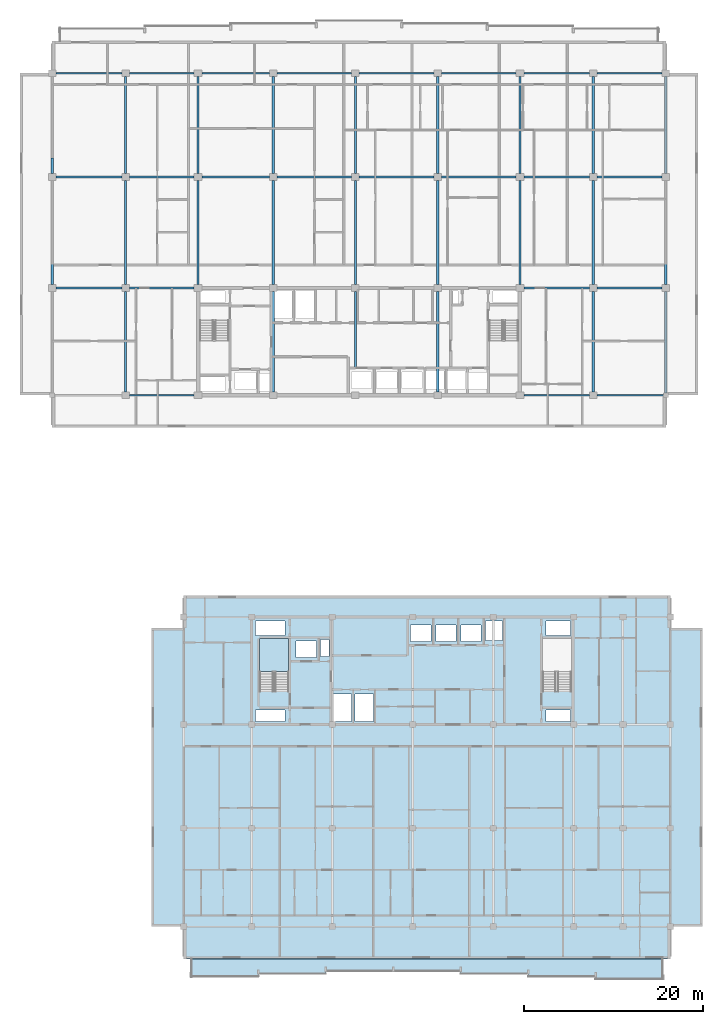
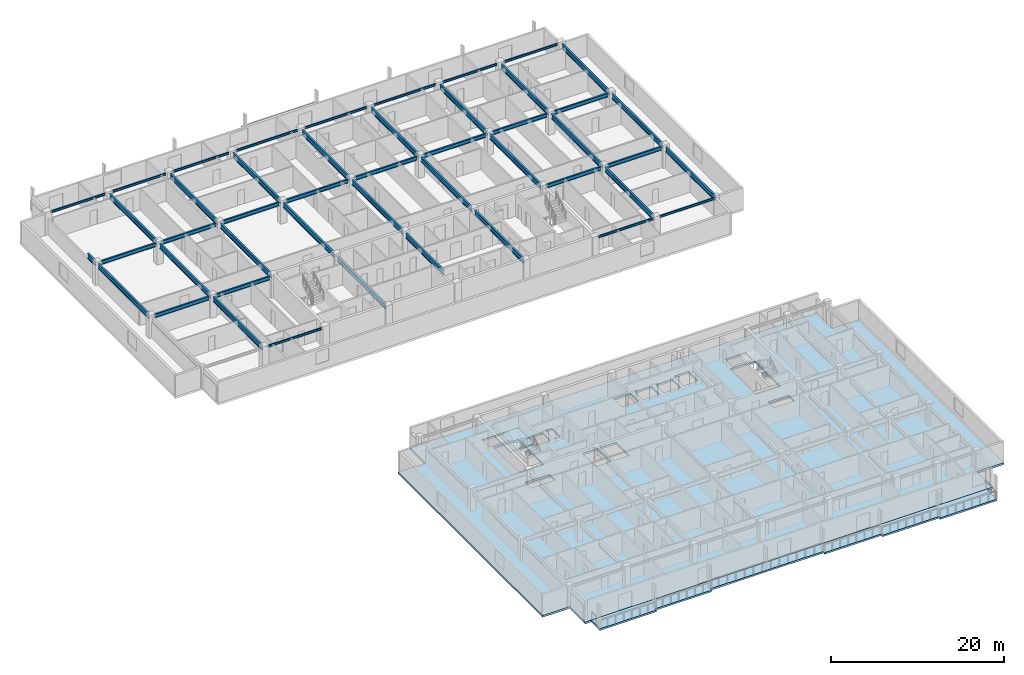
# One storey, part 2 of 21: 47 beams, 3 slabs, 1 element without a shape of its own.
"""IFC4 building model written with IfcOpenShell, lengths in metres."""

from ifc_helpers import new_model, si_unit, direction, frame, origin, origin_2d, place, context, subcontext, project, spatial, polyline, i_section, outline, extrude, material, layer, layer_set, material_profile, profile_set, type_object, element, aggregate, save


model = new_model("IFC4")

# Units and contexts
model_context = context("Model", 3, precision=1e-05, world=origin(), true_north=direction((0.0, 1.0)))
body_context = subcontext(model_context, "Body", "Model", "MODEL_VIEW")
ifc_project = project(units=[si_unit("LENGTHUNIT", "METRE"), si_unit("AREAUNIT", "SQUARE_METRE"), si_unit("VOLUMEUNIT", "CUBIC_METRE"), si_unit("PLANEANGLEUNIT", "RADIAN"), si_unit("MASSUNIT", "GRAM", prefix="KILO")], contexts=[model_context])

# Site, building, storey
site_placement = place(None, origin())
site = spatial("IfcSite", under=ifc_project, at=site_placement, CompositionType="ELEMENT")
building_placement = place(site_placement, origin())
building = spatial("IfcBuilding", under=site, at=building_placement, Name="Korimba Cascade Residences", CompositionType="ELEMENT")
storey_placement = place(building_placement, frame((0.0, 0.0, 171.85009765625)))
storey = spatial("IfcBuildingStorey", under=building, at=storey_placement, Name="L49", CompositionType="ELEMENT", Elevation=171.85009765625)

# Beams
ifc_material_1 = material(Name="Steel S355", Category="steel")
ifc_material_profile_1 = material_profile(ifc_material_1, i_section(OverallWidth=0.165771484375, OverallDepth=0.306640625, WebThickness=0.006591796875, FlangeThickness=0.01171875, FilletRadius=0.0087890625, at=origin_2d()), Name="Steel S355")
ifc_profile_set_1 = profile_set([ifc_material_profile_1], Name="Steel S355")
beam_type_1 = type_object("IfcBeamType", Name="BM-STL-UB305", PredefinedType="SPANDREL", material=ifc_profile_set_1)
beam_1_placement = place(storey_placement, frame((68.425048828125, 55.199951171875, 2.816650390625), z_axis=(1.0, 0.0, 0.0), x_axis=(0.0, 1.0, 0.0)))
element("IfcBeam", 1, at=beam_1_placement, inside=storey, type_object=beam_type_1, Name="L49 T1 E-W Girder Y1 Bay 2", PredefinedType="SPANDREL", context=body_context, shape_type="SweptSolid", body=[
    extrude(i_section(OverallWidth=0.165771484375, OverallDepth=0.306640625, WebThickness=0.006591796875, FlangeThickness=0.01171875, FilletRadius=0.0087890625, at=origin_2d()), origin(), (0.0, 0.0, 1.0), 7.25),
])
beam_2_placement = place(storey_placement, frame((112.52490234375, 55.199951171875, 2.816650390625), z_axis=(1.0, 0.0, 0.0), x_axis=(0.0, 1.0, 0.0)))
element("IfcBeam", 2, at=beam_2_placement, inside=storey, type_object=beam_type_1, Name="L49 T1 E-W Girder Y1 Bay 7", PredefinedType="SPANDREL", context=body_context, shape_type="SweptSolid", body=[
    extrude(i_section(OverallWidth=0.165771484375, OverallDepth=0.306640625, WebThickness=0.006591796875, FlangeThickness=0.01171875, FilletRadius=0.0087890625, at=origin_2d()), origin(), (0.0, 0.0, 1.0), 7.35009765625),
])
beam_3_placement = place(storey_placement, frame((120.72509765625, 55.199951171875, 2.816650390625), z_axis=(1.0, 0.0, 0.0), x_axis=(0.0, 1.0, 0.0)))
element("IfcBeam", 3, at=beam_3_placement, inside=storey, type_object=beam_type_1, Name="L49 T1 E-W Girder Y1 Bay 8", PredefinedType="SPANDREL", context=body_context, shape_type="SweptSolid", body=[
    extrude(i_section(OverallWidth=0.165771484375, OverallDepth=0.306640625, WebThickness=0.006591796875, FlangeThickness=0.01171875, FilletRadius=0.0087890625, at=origin_2d()), origin(), (0.0, 0.0, 1.0), 7.39990234375),
])
beam_4_placement = place(storey_placement, frame((60.22509765625, 91.199951171875, 2.816650390625), z_axis=(1.0, 0.0, 0.0), x_axis=(0.0, 1.0, 0.0)))
element("IfcBeam", 4, at=beam_4_placement, inside=storey, type_object=beam_type_1, Name="L49 T1 E-W Girder Y4 Bay 1", PredefinedType="SPANDREL", context=body_context, shape_type="SweptSolid", body=[
    extrude(i_section(OverallWidth=0.165771484375, OverallDepth=0.306640625, WebThickness=0.006591796875, FlangeThickness=0.01171875, FilletRadius=0.0087890625, at=origin_2d()), origin(), (0.0, 0.0, 1.0), 7.349853515625),
])
beam_5_placement = place(storey_placement, frame((68.425048828125, 91.199951171875, 2.816650390625), z_axis=(1.0, 0.0, 0.0), x_axis=(0.0, 1.0, 0.0)))
element("IfcBeam", 5, at=beam_5_placement, inside=storey, type_object=beam_type_1, Name="L49 T1 E-W Girder Y4 Bay 2", PredefinedType="SPANDREL", context=body_context, shape_type="SweptSolid", body=[
    extrude(i_section(OverallWidth=0.165771484375, OverallDepth=0.306640625, WebThickness=0.006591796875, FlangeThickness=0.01171875, FilletRadius=0.0087890625, at=origin_2d()), origin(), (0.0, 0.0, 1.0), 7.25),
])
beam_6_placement = place(storey_placement, frame((76.52490234375, 91.199951171875, 2.816650390625), z_axis=(1.0, 0.0, 0.0), x_axis=(0.0, 1.0, 0.0)))
element("IfcBeam", 6, at=beam_6_placement, inside=storey, type_object=beam_type_1, Name="L49 T1 E-W Girder Y4 Bay 3", PredefinedType="SPANDREL", context=body_context, shape_type="SweptSolid", body=[
    extrude(i_section(OverallWidth=0.165771484375, OverallDepth=0.306640625, WebThickness=0.006591796875, FlangeThickness=0.01171875, FilletRadius=0.0087890625, at=origin_2d()), origin(), (0.0, 0.0, 1.0), 7.550048828125),
])
beam_7_placement = place(storey_placement, frame((84.925048828125, 91.199951171875, 2.816650390625), z_axis=(1.0, 0.0, 0.0), x_axis=(0.0, 1.0, 0.0)))
element("IfcBeam", 7, at=beam_7_placement, inside=storey, type_object=beam_type_1, Name="L49 T1 E-W Girder Y4 Bay 4", PredefinedType="SPANDREL", context=body_context, shape_type="SweptSolid", body=[
    extrude(i_section(OverallWidth=0.165771484375, OverallDepth=0.306640625, WebThickness=0.006591796875, FlangeThickness=0.01171875, FilletRadius=0.0087890625, at=origin_2d()), origin(), (0.0, 0.0, 1.0), 8.349853515625),
])
for number, where, z_axis, x_axis, name in (
    (8, (94.125, 91.199951171875, 2.816650390625), (1.0, 0.0, 0.0), (0.0, 1.0, 0.0), "L49 T1 E-W Girder Y4 Bay 5"),
    (9, (103.324951171875, 91.199951171875, 2.816650390625), (1.0, 0.0, 0.0), (0.0, 1.0, 0.0), "L49 T1 E-W Girder Y4 Bay 6"),
):
    element("IfcBeam", number, at=place(storey_placement, frame(where, z_axis=z_axis, x_axis=x_axis)), inside=storey, type_object=beam_type_1, Name=name, PredefinedType="SPANDREL", context=body_context, shape_type="SweptSolid", body=[
        extrude(i_section(OverallWidth=0.165771484375, OverallDepth=0.306640625, WebThickness=0.006591796875, FlangeThickness=0.01171875, FilletRadius=0.0087890625, at=origin_2d()), origin(), (0.0, 0.0, 1.0), 8.35009765625),
    ])
beam_8_placement = place(storey_placement, frame((112.52490234375, 91.199951171875, 2.816650390625), z_axis=(1.0, 0.0, 0.0), x_axis=(0.0, 1.0, 0.0)))
element("IfcBeam", 10, at=beam_8_placement, inside=storey, type_object=beam_type_1, Name="L49 T1 E-W Girder Y4 Bay 7", PredefinedType="SPANDREL", context=body_context, shape_type="SweptSolid", body=[
    extrude(i_section(OverallWidth=0.165771484375, OverallDepth=0.306640625, WebThickness=0.006591796875, FlangeThickness=0.01171875, FilletRadius=0.0087890625, at=origin_2d()), origin(), (0.0, 0.0, 1.0), 7.35009765625),
])
beam_9_placement = place(storey_placement, frame((120.72509765625, 91.199951171875, 2.816650390625), z_axis=(1.0, 0.0, 0.0), x_axis=(0.0, 1.0, 0.0)))
element("IfcBeam", 11, at=beam_9_placement, inside=storey, type_object=beam_type_1, Name="L49 T1 E-W Girder Y4 Bay 8", PredefinedType="SPANDREL", context=body_context, shape_type="SweptSolid", body=[
    extrude(i_section(OverallWidth=0.165771484375, OverallDepth=0.306640625, WebThickness=0.006591796875, FlangeThickness=0.01171875, FilletRadius=0.0087890625, at=origin_2d()), origin(), (0.0, 0.0, 1.0), 7.25),
])
ifc_material_profile_2 = material_profile(ifc_material_1, i_section(OverallWidth=0.2099609375, OverallDepth=0.53662109375, WebThickness=0.0107421875, FlangeThickness=0.017333984375, FilletRadius=0.0126953125, at=origin_2d()), Name="Steel S355")
ifc_profile_set_2 = profile_set([ifc_material_profile_2], Name="Steel S355")
beam_type_2 = type_object("IfcBeamType", Name="BM-STL-UB533", PredefinedType="BEAM", material=ifc_profile_set_2)
beam_10_placement = place(storey_placement, frame((60.22509765625, 67.199951171875, 2.701416015625), z_axis=(1.0, 0.0, 0.0), x_axis=(0.0, 1.0, 0.0)))
element("IfcBeam", 12, at=beam_10_placement, inside=storey, type_object=beam_type_2, Name="L49 T1 E-W Girder Y2 Bay 1", PredefinedType="BEAM", context=body_context, shape_type="SweptSolid", body=[
    extrude(i_section(OverallWidth=0.2099609375, OverallDepth=0.53662109375, WebThickness=0.0107421875, FlangeThickness=0.017333984375, FilletRadius=0.0126953125, at=origin_2d()), origin(), (0.0, 0.0, 1.0), 7.349853515625),
])
beam_11_placement = place(storey_placement, frame((68.425048828125, 67.199951171875, 2.701416015625), z_axis=(1.0, 0.0, 0.0), x_axis=(0.0, 1.0, 0.0)))
element("IfcBeam", 13, at=beam_11_placement, inside=storey, type_object=beam_type_2, Name="L49 T1 E-W Girder Y2 Bay 2", PredefinedType="BEAM", context=body_context, shape_type="SweptSolid", body=[
    extrude(i_section(OverallWidth=0.2099609375, OverallDepth=0.53662109375, WebThickness=0.0107421875, FlangeThickness=0.017333984375, FilletRadius=0.0126953125, at=origin_2d()), origin(), (0.0, 0.0, 1.0), 7.25),
])
beam_12_placement = place(storey_placement, frame((112.52490234375, 67.199951171875, 2.701416015625), z_axis=(1.0, 0.0, 0.0), x_axis=(0.0, 1.0, 0.0)))
element("IfcBeam", 14, at=beam_12_placement, inside=storey, type_object=beam_type_2, Name="L49 T1 E-W Girder Y2 Bay 7", PredefinedType="BEAM", context=body_context, shape_type="SweptSolid", body=[
    extrude(i_section(OverallWidth=0.2099609375, OverallDepth=0.53662109375, WebThickness=0.0107421875, FlangeThickness=0.017333984375, FilletRadius=0.0126953125, at=origin_2d()), origin(), (0.0, 0.0, 1.0), 7.35009765625),
])
beam_13_placement = place(storey_placement, frame((120.72509765625, 67.199951171875, 2.701416015625), z_axis=(1.0, 0.0, 0.0), x_axis=(0.0, 1.0, 0.0)))
element("IfcBeam", 15, at=beam_13_placement, inside=storey, type_object=beam_type_2, Name="L49 T1 E-W Girder Y2 Bay 8", PredefinedType="BEAM", context=body_context, shape_type="SweptSolid", body=[
    extrude(i_section(OverallWidth=0.2099609375, OverallDepth=0.53662109375, WebThickness=0.0107421875, FlangeThickness=0.017333984375, FilletRadius=0.0126953125, at=origin_2d()), origin(), (0.0, 0.0, 1.0), 7.25),
])
beam_14_placement = place(storey_placement, frame((60.22509765625, 79.60009765625, 2.701416015625), z_axis=(1.0, 0.0, 0.0), x_axis=(0.0, 1.0, 0.0)))
element("IfcBeam", 16, at=beam_14_placement, inside=storey, type_object=beam_type_2, Name="L49 T1 E-W Girder Y3 Bay 1", PredefinedType="BEAM", context=body_context, shape_type="SweptSolid", body=[
    extrude(i_section(OverallWidth=0.2099609375, OverallDepth=0.53662109375, WebThickness=0.0107421875, FlangeThickness=0.017333984375, FilletRadius=0.0126953125, at=origin_2d()), origin(), (0.0, 0.0, 1.0), 7.349853515625),
])
beam_15_placement = place(storey_placement, frame((68.425048828125, 79.60009765625, 2.701416015625), z_axis=(1.0, 0.0, 0.0), x_axis=(0.0, 1.0, 0.0)))
element("IfcBeam", 17, at=beam_15_placement, inside=storey, type_object=beam_type_2, Name="L49 T1 E-W Girder Y3 Bay 2", PredefinedType="BEAM", context=body_context, shape_type="SweptSolid", body=[
    extrude(i_section(OverallWidth=0.2099609375, OverallDepth=0.53662109375, WebThickness=0.0107421875, FlangeThickness=0.017333984375, FilletRadius=0.0126953125, at=origin_2d()), origin(), (0.0, 0.0, 1.0), 7.25),
])
beam_16_placement = place(storey_placement, frame((76.52490234375, 79.60009765625, 2.701416015625), z_axis=(1.0, 0.0, 0.0), x_axis=(0.0, 1.0, 0.0)))
element("IfcBeam", 18, at=beam_16_placement, inside=storey, type_object=beam_type_2, Name="L49 T1 E-W Girder Y3 Bay 3", PredefinedType="BEAM", context=body_context, shape_type="SweptSolid", body=[
    extrude(i_section(OverallWidth=0.2099609375, OverallDepth=0.53662109375, WebThickness=0.0107421875, FlangeThickness=0.017333984375, FilletRadius=0.0126953125, at=origin_2d()), origin(), (0.0, 0.0, 1.0), 7.550048828125),
])
beam_17_placement = place(storey_placement, frame((84.925048828125, 79.60009765625, 2.701416015625), z_axis=(1.0, 0.0, 0.0), x_axis=(0.0, 1.0, 0.0)))
element("IfcBeam", 19, at=beam_17_placement, inside=storey, type_object=beam_type_2, Name="L49 T1 E-W Girder Y3 Bay 4", PredefinedType="BEAM", context=body_context, shape_type="SweptSolid", body=[
    extrude(i_section(OverallWidth=0.2099609375, OverallDepth=0.53662109375, WebThickness=0.0107421875, FlangeThickness=0.017333984375, FilletRadius=0.0126953125, at=origin_2d()), origin(), (0.0, 0.0, 1.0), 8.349853515625),
])
for number, where, z_axis, x_axis, name in (
    (20, (94.125, 79.60009765625, 2.701416015625), (1.0, 0.0, 0.0), (0.0, 1.0, 0.0), "L49 T1 E-W Girder Y3 Bay 5"),
    (21, (103.324951171875, 79.60009765625, 2.701416015625), (1.0, 0.0, 0.0), (0.0, 1.0, 0.0), "L49 T1 E-W Girder Y3 Bay 6"),
):
    element("IfcBeam", number, at=place(storey_placement, frame(where, z_axis=z_axis, x_axis=x_axis)), inside=storey, type_object=beam_type_2, Name=name, PredefinedType="BEAM", context=body_context, shape_type="SweptSolid", body=[
        extrude(i_section(OverallWidth=0.2099609375, OverallDepth=0.53662109375, WebThickness=0.0107421875, FlangeThickness=0.017333984375, FilletRadius=0.0126953125, at=origin_2d()), origin(), (0.0, 0.0, 1.0), 8.35009765625),
    ])
beam_18_placement = place(storey_placement, frame((112.52490234375, 79.60009765625, 2.701416015625), z_axis=(1.0, 0.0, 0.0), x_axis=(0.0, 1.0, 0.0)))
element("IfcBeam", 22, at=beam_18_placement, inside=storey, type_object=beam_type_2, Name="L49 T1 E-W Girder Y3 Bay 7", PredefinedType="BEAM", context=body_context, shape_type="SweptSolid", body=[
    extrude(i_section(OverallWidth=0.2099609375, OverallDepth=0.53662109375, WebThickness=0.0107421875, FlangeThickness=0.017333984375, FilletRadius=0.0126953125, at=origin_2d()), origin(), (0.0, 0.0, 1.0), 7.35009765625),
])
beam_19_placement = place(storey_placement, frame((120.72509765625, 79.60009765625, 2.701416015625), z_axis=(1.0, 0.0, 0.0), x_axis=(0.0, 1.0, 0.0)))
element("IfcBeam", 23, at=beam_19_placement, inside=storey, type_object=beam_type_2, Name="L49 T1 E-W Girder Y3 Bay 8", PredefinedType="BEAM", context=body_context, shape_type="SweptSolid", body=[
    extrude(i_section(OverallWidth=0.2099609375, OverallDepth=0.53662109375, WebThickness=0.0107421875, FlangeThickness=0.017333984375, FilletRadius=0.0126953125, at=origin_2d()), origin(), (0.0, 0.0, 1.0), 7.25),
])
ifc_material_profile_3 = material_profile(ifc_material_1, i_section(OverallWidth=0.255859375, OverallDepth=0.69287109375, WebThickness=0.014404296875, FlangeThickness=0.023681640625, FilletRadius=0.01513671875, at=origin_2d()), Name="Steel S355")
ifc_profile_set_3 = profile_set([ifc_material_profile_3], Name="Steel S355")
beam_type_3 = type_object("IfcBeamType", Name="BM-STL-UB686", PredefinedType="BEAM", material=ifc_profile_set_3)
beam_20_placement = place(storey_placement, frame((59.800048828125, 67.574951171875, 2.623291015625), z_axis=(0.0, 1.0, 0.0), x_axis=(-1.0, 0.0, 0.0)))
element("IfcBeam", 24, at=beam_20_placement, inside=storey, type_object=beam_type_3, Name="L49 T1 N-S Girder X1 Seg 2", PredefinedType="BEAM", context=body_context, shape_type="SweptSolid", body=[
    extrude(i_section(OverallWidth=0.255859375, OverallDepth=0.69287109375, WebThickness=0.014404296875, FlangeThickness=0.023681640625, FilletRadius=0.01513671875, at=origin_2d()), origin(), (0.0, 0.0, 1.0), 11.650146484375),
])
beam_21_placement = place(storey_placement, frame((59.800048828125, 79.97509765625, 2.623291015625), z_axis=(0.0, 1.0, 0.0), x_axis=(-1.0, 0.0, 0.0)))
element("IfcBeam", 25, at=beam_21_placement, inside=storey, type_object=beam_type_3, Name="L49 T1 N-S Girder X1 Seg 3", PredefinedType="BEAM", context=body_context, shape_type="SweptSolid", body=[
    extrude(i_section(OverallWidth=0.255859375, OverallDepth=0.69287109375, WebThickness=0.014404296875, FlangeThickness=0.023681640625, FilletRadius=0.01513671875, at=origin_2d()), origin(), (0.0, 0.0, 1.0), 1.724853515625),
])
beam_22_placement = place(storey_placement, frame((68.0, 55.574951171875, 2.623291015625), z_axis=(0.0, 1.0, 0.0), x_axis=(-1.0, 0.0, 0.0)))
element("IfcBeam", 26, at=beam_22_placement, inside=storey, type_object=beam_type_3, Name="L49 T1 N-S Girder X2 Seg 1", PredefinedType="BEAM", context=body_context, shape_type="SweptSolid", body=[
    extrude(i_section(OverallWidth=0.255859375, OverallDepth=0.69287109375, WebThickness=0.014404296875, FlangeThickness=0.023681640625, FilletRadius=0.01513671875, at=origin_2d()), origin(), (0.0, 0.0, 1.0), 11.25),
])
beam_23_placement = place(storey_placement, frame((68.0, 67.574951171875, 2.623291015625), z_axis=(0.0, 1.0, 0.0), x_axis=(-1.0, 0.0, 0.0)))
element("IfcBeam", 27, at=beam_23_placement, inside=storey, type_object=beam_type_3, Name="L49 T1 N-S Girder X2 Seg 2", PredefinedType="BEAM", context=body_context, shape_type="SweptSolid", body=[
    extrude(i_section(OverallWidth=0.255859375, OverallDepth=0.69287109375, WebThickness=0.014404296875, FlangeThickness=0.023681640625, FilletRadius=0.01513671875, at=origin_2d()), origin(), (0.0, 0.0, 1.0), 11.650146484375),
])
beam_24_placement = place(storey_placement, frame((68.0, 79.97509765625, 2.623291015625), z_axis=(0.0, 1.0, 0.0), x_axis=(-1.0, 0.0, 0.0)))
element("IfcBeam", 28, at=beam_24_placement, inside=storey, type_object=beam_type_3, Name="L49 T1 N-S Girder X2 Seg 3", PredefinedType="BEAM", context=body_context, shape_type="SweptSolid", body=[
    extrude(i_section(OverallWidth=0.255859375, OverallDepth=0.69287109375, WebThickness=0.014404296875, FlangeThickness=0.023681640625, FilletRadius=0.01513671875, at=origin_2d()), origin(), (0.0, 0.0, 1.0), 10.849853515625),
])
beam_25_placement = place(storey_placement, frame((76.10009765625, 67.574951171875, 2.623291015625), z_axis=(0.0, 1.0, 0.0), x_axis=(-1.0, 0.0, 0.0)))
element("IfcBeam", 29, at=beam_25_placement, inside=storey, type_object=beam_type_3, Name="L49 T1 N-S Girder X3 Seg 2", PredefinedType="BEAM", context=body_context, shape_type="SweptSolid", body=[
    extrude(i_section(OverallWidth=0.255859375, OverallDepth=0.69287109375, WebThickness=0.014404296875, FlangeThickness=0.023681640625, FilletRadius=0.01513671875, at=origin_2d()), origin(), (0.0, 0.0, 1.0), 11.650146484375),
])
beam_26_placement = place(storey_placement, frame((76.10009765625, 79.97509765625, 2.623291015625), z_axis=(0.0, 1.0, 0.0), x_axis=(-1.0, 0.0, 0.0)))
element("IfcBeam", 30, at=beam_26_placement, inside=storey, type_object=beam_type_3, Name="L49 T1 N-S Girder X3 Seg 3", PredefinedType="BEAM", context=body_context, shape_type="SweptSolid", body=[
    extrude(i_section(OverallWidth=0.255859375, OverallDepth=0.69287109375, WebThickness=0.014404296875, FlangeThickness=0.023681640625, FilletRadius=0.01513671875, at=origin_2d()), origin(), (0.0, 0.0, 1.0), 10.849853515625),
])
beam_27_placement = place(storey_placement, frame((84.5, 55.574951171875, 2.623291015625), z_axis=(0.0, 1.0, 0.0), x_axis=(-1.0, 0.0, 0.0)))
element("IfcBeam", 31, at=beam_27_placement, inside=storey, type_object=beam_type_3, Name="L49 T1 N-S Girder X4 Seg 1", PredefinedType="BEAM", context=body_context, shape_type="SweptSolid", body=[
    extrude(i_section(OverallWidth=0.255859375, OverallDepth=0.69287109375, WebThickness=0.014404296875, FlangeThickness=0.023681640625, FilletRadius=0.01513671875, at=origin_2d()), origin(), (0.0, 0.0, 1.0), 11.25),
])
beam_28_placement = place(storey_placement, frame((84.5, 67.574951171875, 2.623291015625), z_axis=(0.0, 1.0, 0.0), x_axis=(-1.0, 0.0, 0.0)))
element("IfcBeam", 32, at=beam_28_placement, inside=storey, type_object=beam_type_3, Name="L49 T1 N-S Girder X4 Seg 2", PredefinedType="BEAM", context=body_context, shape_type="SweptSolid", body=[
    extrude(i_section(OverallWidth=0.255859375, OverallDepth=0.69287109375, WebThickness=0.014404296875, FlangeThickness=0.023681640625, FilletRadius=0.01513671875, at=origin_2d()), origin(), (0.0, 0.0, 1.0), 11.650146484375),
])
beam_29_placement = place(storey_placement, frame((84.5, 79.97509765625, 2.623291015625), z_axis=(0.0, 1.0, 0.0), x_axis=(-1.0, 0.0, 0.0)))
element("IfcBeam", 33, at=beam_29_placement, inside=storey, type_object=beam_type_3, Name="L49 T1 N-S Girder X4 Seg 3", PredefinedType="BEAM", context=body_context, shape_type="SweptSolid", body=[
    extrude(i_section(OverallWidth=0.255859375, OverallDepth=0.69287109375, WebThickness=0.014404296875, FlangeThickness=0.023681640625, FilletRadius=0.01513671875, at=origin_2d()), origin(), (0.0, 0.0, 1.0), 10.849853515625),
])
beam_30_placement = place(storey_placement, frame((93.699951171875, 58.159912109375, 2.623291015625), z_axis=(0.0, 1.0, 0.0), x_axis=(-1.0, 0.0, 0.0)))
element("IfcBeam", 34, at=beam_30_placement, inside=storey, type_object=beam_type_3, Name="L49 T1 N-S Girder X5 Seg 1", PredefinedType="BEAM", context=body_context, shape_type="SweptSolid", body=[
    extrude(i_section(OverallWidth=0.255859375, OverallDepth=0.69287109375, WebThickness=0.014404296875, FlangeThickness=0.023681640625, FilletRadius=0.01513671875, at=origin_2d()), origin(), (0.0, 0.0, 1.0), 8.6650390625),
])
beam_31_placement = place(storey_placement, frame((93.699951171875, 67.574951171875, 2.623291015625), z_axis=(0.0, 1.0, 0.0), x_axis=(-1.0, 0.0, 0.0)))
element("IfcBeam", 35, at=beam_31_placement, inside=storey, type_object=beam_type_3, Name="L49 T1 N-S Girder X5 Seg 2", PredefinedType="BEAM", context=body_context, shape_type="SweptSolid", body=[
    extrude(i_section(OverallWidth=0.255859375, OverallDepth=0.69287109375, WebThickness=0.014404296875, FlangeThickness=0.023681640625, FilletRadius=0.01513671875, at=origin_2d()), origin(), (0.0, 0.0, 1.0), 11.650146484375),
])
beam_32_placement = place(storey_placement, frame((93.699951171875, 79.97509765625, 2.623291015625), z_axis=(0.0, 1.0, 0.0), x_axis=(-1.0, 0.0, 0.0)))
element("IfcBeam", 36, at=beam_32_placement, inside=storey, type_object=beam_type_3, Name="L49 T1 N-S Girder X5 Seg 3", PredefinedType="BEAM", context=body_context, shape_type="SweptSolid", body=[
    extrude(i_section(OverallWidth=0.255859375, OverallDepth=0.69287109375, WebThickness=0.014404296875, FlangeThickness=0.023681640625, FilletRadius=0.01513671875, at=origin_2d()), origin(), (0.0, 0.0, 1.0), 10.849853515625),
])
beam_33_placement = place(storey_placement, frame((102.89990234375, 55.574951171875, 2.623291015625), z_axis=(0.0, 1.0, 0.0), x_axis=(-1.0, 0.0, 0.0)))
element("IfcBeam", 37, at=beam_33_placement, inside=storey, type_object=beam_type_3, Name="L49 T1 N-S Girder X6 Seg 1", PredefinedType="BEAM", context=body_context, shape_type="SweptSolid", body=[
    extrude(i_section(OverallWidth=0.255859375, OverallDepth=0.69287109375, WebThickness=0.014404296875, FlangeThickness=0.023681640625, FilletRadius=0.01513671875, at=origin_2d()), origin(), (0.0, 0.0, 1.0), 11.25),
])
beam_34_placement = place(storey_placement, frame((102.89990234375, 67.574951171875, 2.623291015625), z_axis=(0.0, 1.0, 0.0), x_axis=(-1.0, 0.0, 0.0)))
element("IfcBeam", 38, at=beam_34_placement, inside=storey, type_object=beam_type_3, Name="L49 T1 N-S Girder X6 Seg 2", PredefinedType="BEAM", context=body_context, shape_type="SweptSolid", body=[
    extrude(i_section(OverallWidth=0.255859375, OverallDepth=0.69287109375, WebThickness=0.014404296875, FlangeThickness=0.023681640625, FilletRadius=0.01513671875, at=origin_2d()), origin(), (0.0, 0.0, 1.0), 11.650146484375),
])
beam_35_placement = place(storey_placement, frame((102.89990234375, 79.97509765625, 2.623291015625), z_axis=(0.0, 1.0, 0.0), x_axis=(-1.0, 0.0, 0.0)))
element("IfcBeam", 39, at=beam_35_placement, inside=storey, type_object=beam_type_3, Name="L49 T1 N-S Girder X6 Seg 3", PredefinedType="BEAM", context=body_context, shape_type="SweptSolid", body=[
    extrude(i_section(OverallWidth=0.255859375, OverallDepth=0.69287109375, WebThickness=0.014404296875, FlangeThickness=0.023681640625, FilletRadius=0.01513671875, at=origin_2d()), origin(), (0.0, 0.0, 1.0), 10.849853515625),
])
beam_36_placement = place(storey_placement, frame((112.10009765625, 67.574951171875, 2.623291015625), z_axis=(0.0, 1.0, 0.0), x_axis=(-1.0, 0.0, 0.0)))
element("IfcBeam", 40, at=beam_36_placement, inside=storey, type_object=beam_type_3, Name="L49 T1 N-S Girder X7 Seg 2", PredefinedType="BEAM", context=body_context, shape_type="SweptSolid", body=[
    extrude(i_section(OverallWidth=0.255859375, OverallDepth=0.69287109375, WebThickness=0.014404296875, FlangeThickness=0.023681640625, FilletRadius=0.01513671875, at=origin_2d()), origin(), (0.0, 0.0, 1.0), 11.650146484375),
])
beam_37_placement = place(storey_placement, frame((112.10009765625, 79.97509765625, 2.623291015625), z_axis=(0.0, 1.0, 0.0), x_axis=(-1.0, 0.0, 0.0)))
element("IfcBeam", 41, at=beam_37_placement, inside=storey, type_object=beam_type_3, Name="L49 T1 N-S Girder X7 Seg 3", PredefinedType="BEAM", context=body_context, shape_type="SweptSolid", body=[
    extrude(i_section(OverallWidth=0.255859375, OverallDepth=0.69287109375, WebThickness=0.014404296875, FlangeThickness=0.023681640625, FilletRadius=0.01513671875, at=origin_2d()), origin(), (0.0, 0.0, 1.0), 10.849853515625),
])
beam_38_placement = place(storey_placement, frame((120.300048828125, 55.574951171875, 2.623291015625), z_axis=(0.0, 1.0, 0.0), x_axis=(-1.0, 0.0, 0.0)))
element("IfcBeam", 42, at=beam_38_placement, inside=storey, type_object=beam_type_3, Name="L49 T1 N-S Girder X8 Seg 1", PredefinedType="BEAM", context=body_context, shape_type="SweptSolid", body=[
    extrude(i_section(OverallWidth=0.255859375, OverallDepth=0.69287109375, WebThickness=0.014404296875, FlangeThickness=0.023681640625, FilletRadius=0.01513671875, at=origin_2d()), origin(), (0.0, 0.0, 1.0), 11.25),
])
beam_39_placement = place(storey_placement, frame((120.300048828125, 67.574951171875, 2.623291015625), z_axis=(0.0, 1.0, 0.0), x_axis=(-1.0, 0.0, 0.0)))
element("IfcBeam", 43, at=beam_39_placement, inside=storey, type_object=beam_type_3, Name="L49 T1 N-S Girder X8 Seg 2", PredefinedType="BEAM", context=body_context, shape_type="SweptSolid", body=[
    extrude(i_section(OverallWidth=0.255859375, OverallDepth=0.69287109375, WebThickness=0.014404296875, FlangeThickness=0.023681640625, FilletRadius=0.01513671875, at=origin_2d()), origin(), (0.0, 0.0, 1.0), 11.650146484375),
])
beam_40_placement = place(storey_placement, frame((120.300048828125, 79.97509765625, 2.623291015625), z_axis=(0.0, 1.0, 0.0), x_axis=(-1.0, 0.0, 0.0)))
element("IfcBeam", 44, at=beam_40_placement, inside=storey, type_object=beam_type_3, Name="L49 T1 N-S Girder X8 Seg 3", PredefinedType="BEAM", context=body_context, shape_type="SweptSolid", body=[
    extrude(i_section(OverallWidth=0.255859375, OverallDepth=0.69287109375, WebThickness=0.014404296875, FlangeThickness=0.023681640625, FilletRadius=0.01513671875, at=origin_2d()), origin(), (0.0, 0.0, 1.0), 10.849853515625),
])
beam_41_placement = place(storey_placement, frame((128.39990234375, 55.425048828125, 2.623291015625), z_axis=(0.0, 1.0, 0.0), x_axis=(-1.0, 0.0, 0.0)))
element("IfcBeam", 45, at=beam_41_placement, inside=storey, type_object=beam_type_3, Name="L49 T1 N-S Girder X9 Seg 1", PredefinedType="BEAM", context=body_context, shape_type="SweptSolid", body=[
    extrude(i_section(OverallWidth=0.255859375, OverallDepth=0.69287109375, WebThickness=0.014404296875, FlangeThickness=0.023681640625, FilletRadius=0.01513671875, at=origin_2d()), origin(), (0.0, 0.0, 1.0), 11.39990234375),
])
beam_42_placement = place(storey_placement, frame((128.39990234375, 67.574951171875, 2.623291015625), z_axis=(0.0, 1.0, 0.0), x_axis=(-1.0, 0.0, 0.0)))
element("IfcBeam", 46, at=beam_42_placement, inside=storey, type_object=beam_type_3, Name="L49 T1 N-S Girder X9 Seg 2", PredefinedType="BEAM", context=body_context, shape_type="SweptSolid", body=[
    extrude(i_section(OverallWidth=0.255859375, OverallDepth=0.69287109375, WebThickness=0.014404296875, FlangeThickness=0.023681640625, FilletRadius=0.01513671875, at=origin_2d()), origin(), (0.0, 0.0, 1.0), 11.650146484375),
])
beam_43_placement = place(storey_placement, frame((128.39990234375, 79.97509765625, 2.623291015625), z_axis=(0.0, 1.0, 0.0), x_axis=(-1.0, 0.0, 0.0)))
element("IfcBeam", 47, at=beam_43_placement, inside=storey, type_object=beam_type_3, Name="L49 T1 N-S Girder X9 Seg 3", PredefinedType="BEAM", context=body_context, shape_type="SweptSolid", body=[
    extrude(i_section(OverallWidth=0.255859375, OverallDepth=0.69287109375, WebThickness=0.014404296875, FlangeThickness=0.023681640625, FilletRadius=0.01513671875, at=origin_2d()), origin(), (0.0, 0.0, 1.0), 10.849853515625),
])

# Stair, slab
ifc_material_2 = material(Name="Concrete C50/60", Category="concrete")
stair_type = type_object("IfcStairType", Name="STR-E1-18R-1806", PredefinedType="HALF_TURN_STAIR", material=ifc_material_2)
stair_placement = place(storey_placement, origin())
stair = element("IfcStair", 48, at=stair_placement, inside=storey, type_object=stair_type, Name="L49 Tower 2 West Fire Stair ST-E1", PredefinedType="HALF_TURN_STAIR")
ifc_layer_1 = layer(ifc_material_2, 0.199951171875)
ifc_layer_set_1 = layer_set([ifc_layer_1], Name="Concrete C50/60")
slab_type_1 = type_object("IfcSlabType", Name="SLB-LND-220", PredefinedType="LANDING", material=ifc_layer_set_1)
slab_1_placement = place(storey_placement, frame((0.0, 0.0, 1.4248046875)))
slab_1 = element("IfcSlab", 49, at=slab_1_placement, type_object=slab_type_1, Name="ST-E1 landing 1", PredefinedType="LANDING", context=body_context, shape_type="SweptSolid", body=[
    extrude(outline(polyline([(86.239990234375, 24.2900390625), (86.239990234375, 28.0), (83.0, 28.0), (83.0, 24.2900390625), (86.239990234375, 24.2900390625)])), origin(), (0.0, 0.0, 1.0), 0.2001953125),
])
aggregate(stair, [slab_1])

# Slabs
ifc_material_3 = material(Name="Precast concrete C40/50", Category="concrete")
ifc_layer_2 = layer(ifc_material_3, 0.239990234375)
ifc_layer_set_2 = layer_set([ifc_layer_2], Name="Precast concrete C40/50")
slab_type_2 = type_object("IfcSlabType", Name="SLB-LOG-240", PredefinedType="FLOOR", material=ifc_layer_set_2)
slab_2_placement = place(storey_placement, frame((0.0, 0.0, -0.239990234375)))
element("IfcSlab", 50, at=slab_2_placement, inside=storey, type_object=slab_type_2, Name="L49 Tower 2 South Loggia Slab", PredefinedType="FLOOR", context=body_context, shape_type="SweptSolid", body=[
    extrude(outline(polyline([(75.300048828125, -9.85009765625), (82.843017578125, -9.85009765625), (82.843017578125, -9.550048828125), (90.3857421875, -9.550048828125), (90.3857421875, -9.25), (105.471435546875, -9.25), (105.471435546875, -9.550048828125), (113.014404296875, -9.550048828125), (113.014404296875, -9.85009765625), (120.55712890625, -9.85009765625), (120.55712890625, -10.14990234375), (128.10009765625, -10.14990234375), (128.10009765625, -7.800048828125), (75.300048828125, -7.800048828125), (75.300048828125, -9.85009765625)])), origin(), (0.0, 0.0, 1.0), 0.239990234375),
])
ifc_layer_3 = layer(ifc_material_2, 0.280029296875)
ifc_layer_set_3 = layer_set([ifc_layer_3], Name="Concrete C50/60")
slab_type_3 = type_object("IfcSlabType", Name="SLB-TYP-280", PredefinedType="FLOOR", material=ifc_layer_set_3)
slab_3_placement = place(storey_placement, frame((0.0, 0.0, -0.280029296875)))
element("IfcSlab", 51, at=slab_3_placement, inside=storey, type_object=slab_type_3, Name="L49 Tower 2 Floor Slab", PredefinedType="FLOOR", context=body_context, shape_type="SweptSolid", body=[
    extrude(outline(polyline([(74.5, -7.800048828125), (128.89990234375, -7.800048828125), (128.89990234375, -4.199951171875), (132.5, -4.199951171875), (132.5, 29.199951171875), (128.89990234375, 29.199951171875), (128.89990234375, 32.800048828125), (74.5, 32.800048828125), (74.5, 29.199951171875), (70.89990234375, 29.199951171875), (70.89990234375, -4.199951171875), (74.5, -4.199951171875), (74.5, -7.800048828125)]), holes=[polyline([(86.239990234375, 22.0849609375), (86.239990234375, 28.0), (83.0, 28.0), (83.0, 22.0849609375), (86.239990234375, 22.0849609375)]), polyline([(117.840087890625, 22.0849609375), (117.840087890625, 28.0), (114.60009765625, 28.0), (114.60009765625, 22.0849609375), (117.840087890625, 22.0849609375)]), polyline([(87.030029296875, 25.8798828125), (89.3701171875, 25.8798828125), (89.3701171875, 27.719970703125), (87.030029296875, 27.719970703125), (87.030029296875, 25.8798828125)]), polyline([(99.8798828125, 27.679931640625), (102.1201171875, 27.679931640625), (102.1201171875, 29.52001953125), (99.8798828125, 29.52001953125), (99.8798828125, 27.679931640625)]), polyline([(102.679931640625, 27.679931640625), (104.919921875, 27.679931640625), (104.919921875, 29.52001953125), (102.679931640625, 29.52001953125), (102.679931640625, 27.679931640625)]), polyline([(105.47998046875, 27.679931640625), (107.719970703125, 27.679931640625), (107.719970703125, 29.52001953125), (105.47998046875, 29.52001953125), (105.47998046875, 27.679931640625)]), polyline([(89.780029296875, 25.97998046875), (90.719970703125, 25.97998046875), (90.719970703125, 27.919921875), (89.780029296875, 27.919921875), (89.780029296875, 25.97998046875)]), polyline([(82.530029296875, 18.72998046875), (85.800048828125, 18.72998046875), (85.800048828125, 20.0400390625), (82.530029296875, 20.0400390625), (82.530029296875, 18.72998046875)]), polyline([(82.530029296875, 28.360107421875), (85.800048828125, 28.360107421875), (85.800048828125, 29.969970703125), (82.530029296875, 29.969970703125), (82.530029296875, 28.360107421875)]), polyline([(108.22998046875, 27.780029296875), (110.1201171875, 27.780029296875), (110.1201171875, 29.969970703125), (108.22998046875, 29.969970703125), (108.22998046875, 27.780029296875)]), polyline([(91.22998046875, 18.72998046875), (93.27001953125, 18.72998046875), (93.27001953125, 21.780029296875), (91.22998046875, 21.780029296875), (91.22998046875, 18.72998046875)]), polyline([(93.6298828125, 18.72998046875), (95.719970703125, 18.72998046875), (95.719970703125, 21.780029296875), (93.6298828125, 21.780029296875), (93.6298828125, 18.72998046875)]), polyline([(115.02001953125, 18.72998046875), (117.739990234375, 18.72998046875), (117.739990234375, 20.0400390625), (115.02001953125, 20.0400390625), (115.02001953125, 18.72998046875)]), polyline([(115.02001953125, 28.360107421875), (117.739990234375, 28.360107421875), (117.739990234375, 29.969970703125), (115.02001953125, 29.969970703125), (115.02001953125, 28.360107421875)])]), origin(), (0.0, 0.0, 1.0), 0.280029296875),
])

save(model, "model.ifc")
